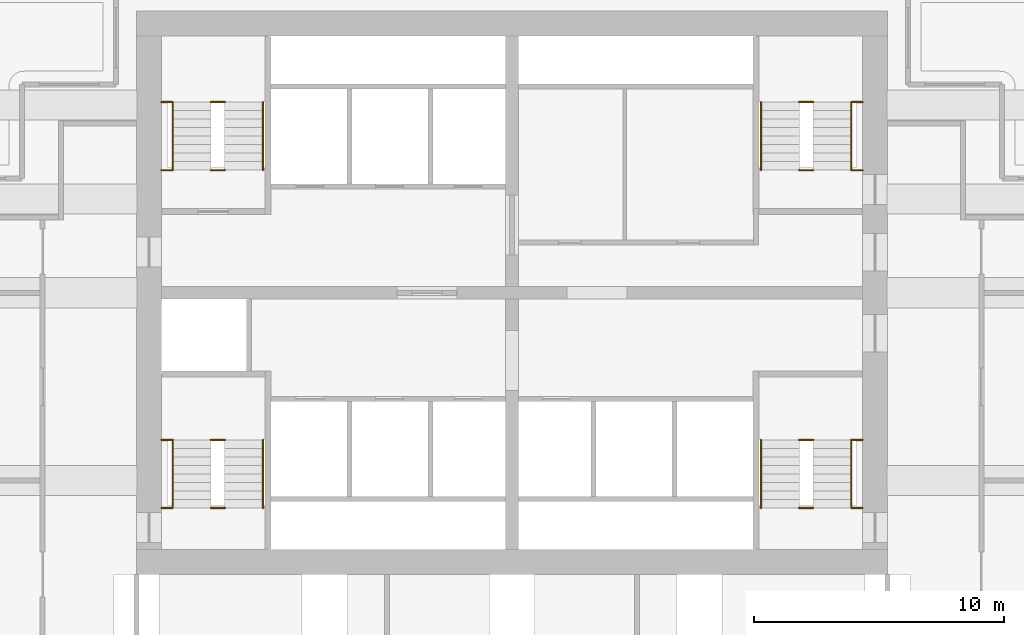
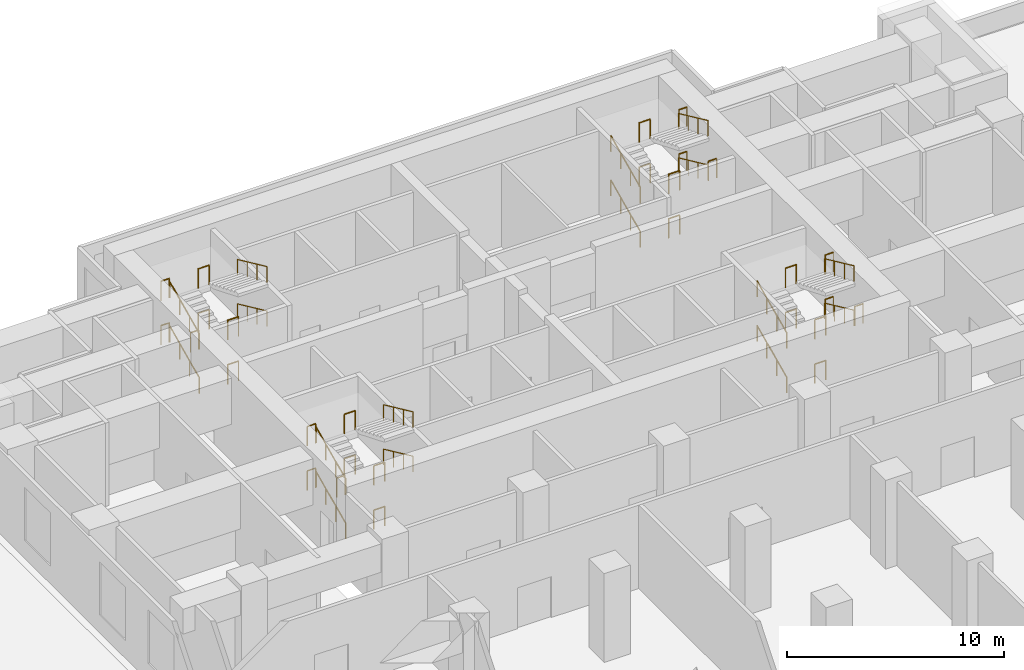
# One storey, part 8 of 9: 44 railings.
"""IFC4 building model written with IfcOpenShell, lengths in metres."""

from ifc_helpers import new_model, si_unit, direction, frame, origin, origin_2d, place, context, subcontext, project, spatial, circle, extrude, material, type_object, element, save


model = new_model("IFC4")

# Units and contexts
model_context = context("Model", 3, precision=1e-05, world=origin(), true_north=direction((0.0, 1.0)))
body_context = subcontext(model_context, "Body", "Model", "MODEL_VIEW")
ifc_project = project(units=[si_unit("LENGTHUNIT", "METRE"), si_unit("AREAUNIT", "SQUARE_METRE"), si_unit("VOLUMEUNIT", "CUBIC_METRE"), si_unit("PLANEANGLEUNIT", "RADIAN"), si_unit("MASSUNIT", "GRAM", prefix="KILO")], contexts=[model_context])

# Site, building, storey
site_placement = place(None, origin())
site = spatial("IfcSite", under=ifc_project, at=site_placement, CompositionType="ELEMENT")
building_placement = place(site_placement, origin())
building = spatial("IfcBuilding", under=site, at=building_placement, Name="Pilkhan Gate Tower", CompositionType="ELEMENT")
storey_placement = place(building_placement, frame((0.0, 0.0, 30.0)))
storey = spatial("IfcBuildingStorey", under=building, at=storey_placement, Name="L04", CompositionType="ELEMENT", Elevation=30.0)

# Railings
ifc_material_1 = material(Name="Black powder-coated steel tube", Category="steel")
railing_type_1 = type_object("IfcRailingType", Name="Stair handrail HR1", PredefinedType="HANDRAIL", material=ifc_material_1)
railing_1_placement = place(storey_placement, frame((84.949951171875, 73.89990234375, 0.0)))
element("IfcRailing", 1, at=railing_1_placement, inside=storey, type_object=railing_type_1, Name="Stair ST1 handrail L04", PredefinedType="HANDRAIL", context=body_context, shape_type="SweptSolid", body=[
    extrude(circle(Radius=0.02392578125, at=origin_2d()), frame((0.0, 0.0, 0.8759765625), z_axis=(0.0, 0.908655102025, 0.417547488994), x_axis=(-1.0, 0.0, 0.0)), (0.0, 0.0, 1.0), 2.99365234375),
    extrude(circle(Radius=0.02099609375, at=origin_2d()), origin(), (0.0, 0.0, 1.0), 0.851806640625),
    extrude(circle(Radius=0.02099609375, at=origin_2d()), frame((0.0, 0.90673828125, 0.416748046875)), (0.0, 0.0, 1.0), 0.851806640625),
    extrude(circle(Radius=0.02099609375, at=origin_2d()), frame((0.0, 1.8134765625, 0.833251953125)), (0.0, 0.0, 1.0), 0.851806640625),
    extrude(circle(Radius=0.02099609375, at=origin_2d()), frame((0.0, 2.72021484375, 1.25)), (0.0, 0.0, 1.0), 0.851806640625),
])
railing_2_placement = place(storey_placement, frame((88.550048828125, 76.6201171875, 1.25)))
element("IfcRailing", 2, at=railing_2_placement, inside=storey, type_object=railing_type_1, Name="Stair ST1 handrail L04", PredefinedType="HANDRAIL", context=body_context, shape_type="SweptSolid", body=[
    extrude(circle(Radius=0.02392578125, at=origin_2d()), frame((0.0, 0.0, 0.8759765625), z_axis=(0.0, -0.908655102025, 0.417547488994), x_axis=(1.0, 0.0, 0.0)), (0.0, 0.0, 1.0), 2.99365234375),
    extrude(circle(Radius=0.02099609375, at=origin_2d()), origin(), (0.0, 0.0, 1.0), 0.851806640625),
    extrude(circle(Radius=0.02099609375, at=origin_2d()), frame((0.0, -0.90673828125, 0.416748046875)), (0.0, 0.0, 1.0), 0.851806640625),
    extrude(circle(Radius=0.02099609375, at=origin_2d()), frame((0.0, -1.8134765625, 0.833251953125)), (0.0, 0.0, 1.0), 0.851806640625),
    extrude(circle(Radius=0.02099609375, at=origin_2d()), frame((0.0, -2.72021484375, 1.25)), (0.0, 0.0, 1.0), 0.851806640625),
])
railing_3_placement = place(storey_placement, frame((84.949951171875, 73.89990234375, 2.5)))
element("IfcRailing", 3, at=railing_3_placement, inside=storey, type_object=railing_type_1, Name="Stair ST1 handrail L04", PredefinedType="HANDRAIL", context=body_context, shape_type="SweptSolid", body=[
    extrude(circle(Radius=0.02392578125, at=origin_2d()), frame((0.0, 0.0, 0.8759765625), z_axis=(0.0, 0.908655102025, 0.417547488994), x_axis=(-1.0, 0.0, 0.0)), (0.0, 0.0, 1.0), 2.99365234375),
    extrude(circle(Radius=0.02099609375, at=origin_2d()), origin(), (0.0, 0.0, 1.0), 0.851806640625),
    extrude(circle(Radius=0.02099609375, at=origin_2d()), frame((0.0, 0.90673828125, 0.416748046875)), (0.0, 0.0, 1.0), 0.851806640625),
    extrude(circle(Radius=0.02099609375, at=origin_2d()), frame((0.0, 1.8134765625, 0.833251953125)), (0.0, 0.0, 1.0), 0.851806640625),
    extrude(circle(Radius=0.02099609375, at=origin_2d()), frame((0.0, 2.72021484375, 1.25)), (0.0, 0.0, 1.0), 0.851806640625),
])
railing_4_placement = place(storey_placement, frame((88.550048828125, 76.6201171875, 3.75)))
element("IfcRailing", 4, at=railing_4_placement, inside=storey, type_object=railing_type_1, Name="Stair ST1 handrail L04", PredefinedType="HANDRAIL", context=body_context, shape_type="SweptSolid", body=[
    extrude(circle(Radius=0.02392578125, at=origin_2d()), frame((0.0, 0.0, 0.8759765625), z_axis=(0.0, -0.908655102025, 0.417547488994), x_axis=(1.0, 0.0, 0.0)), (0.0, 0.0, 1.0), 2.99365234375),
    extrude(circle(Radius=0.02099609375, at=origin_2d()), origin(), (0.0, 0.0, 1.0), 0.851806640625),
    extrude(circle(Radius=0.02099609375, at=origin_2d()), frame((0.0, -0.90673828125, 0.416748046875)), (0.0, 0.0, 1.0), 0.851806640625),
    extrude(circle(Radius=0.02099609375, at=origin_2d()), frame((0.0, -1.8134765625, 0.833251953125)), (0.0, 0.0, 1.0), 0.851806640625),
    extrude(circle(Radius=0.02099609375, at=origin_2d()), frame((0.0, -2.72021484375, 1.25)), (0.0, 0.0, 1.0), 0.851806640625),
])
railing_5_placement = place(storey_placement, frame((61.449951171875, 73.89990234375, 0.0)))
element("IfcRailing", 5, at=railing_5_placement, inside=storey, type_object=railing_type_1, Name="Stair ST2 handrail L04", PredefinedType="HANDRAIL", context=body_context, shape_type="SweptSolid", body=[
    extrude(circle(Radius=0.02392578125, at=origin_2d()), frame((0.0, 0.0, 0.8759765625), z_axis=(0.0, 0.908655102025, 0.417547488994), x_axis=(-1.0, 0.0, 0.0)), (0.0, 0.0, 1.0), 2.99365234375),
    extrude(circle(Radius=0.02099609375, at=origin_2d()), origin(), (0.0, 0.0, 1.0), 0.851806640625),
    extrude(circle(Radius=0.02099609375, at=origin_2d()), frame((0.0, 0.90673828125, 0.416748046875)), (0.0, 0.0, 1.0), 0.851806640625),
    extrude(circle(Radius=0.02099609375, at=origin_2d()), frame((0.0, 1.8134765625, 0.833251953125)), (0.0, 0.0, 1.0), 0.851806640625),
    extrude(circle(Radius=0.02099609375, at=origin_2d()), frame((0.0, 2.72021484375, 1.25)), (0.0, 0.0, 1.0), 0.851806640625),
])
railing_6_placement = place(storey_placement, frame((65.050048828125, 76.6201171875, 1.25)))
element("IfcRailing", 6, at=railing_6_placement, inside=storey, type_object=railing_type_1, Name="Stair ST2 handrail L04", PredefinedType="HANDRAIL", context=body_context, shape_type="SweptSolid", body=[
    extrude(circle(Radius=0.02392578125, at=origin_2d()), frame((0.0, 0.0, 0.8759765625), z_axis=(0.0, -0.908655102025, 0.417547488994), x_axis=(1.0, 0.0, 0.0)), (0.0, 0.0, 1.0), 2.99365234375),
    extrude(circle(Radius=0.02099609375, at=origin_2d()), origin(), (0.0, 0.0, 1.0), 0.851806640625),
    extrude(circle(Radius=0.02099609375, at=origin_2d()), frame((0.0, -0.90673828125, 0.416748046875)), (0.0, 0.0, 1.0), 0.851806640625),
    extrude(circle(Radius=0.02099609375, at=origin_2d()), frame((0.0, -1.8134765625, 0.833251953125)), (0.0, 0.0, 1.0), 0.851806640625),
    extrude(circle(Radius=0.02099609375, at=origin_2d()), frame((0.0, -2.72021484375, 1.25)), (0.0, 0.0, 1.0), 0.851806640625),
])
railing_7_placement = place(storey_placement, frame((61.449951171875, 73.89990234375, 2.5)))
element("IfcRailing", 7, at=railing_7_placement, inside=storey, type_object=railing_type_1, Name="Stair ST2 handrail L04", PredefinedType="HANDRAIL", context=body_context, shape_type="SweptSolid", body=[
    extrude(circle(Radius=0.02392578125, at=origin_2d()), frame((0.0, 0.0, 0.8759765625), z_axis=(0.0, 0.908655102025, 0.417547488994), x_axis=(-1.0, 0.0, 0.0)), (0.0, 0.0, 1.0), 2.99365234375),
    extrude(circle(Radius=0.02099609375, at=origin_2d()), origin(), (0.0, 0.0, 1.0), 0.851806640625),
    extrude(circle(Radius=0.02099609375, at=origin_2d()), frame((0.0, 0.90673828125, 0.416748046875)), (0.0, 0.0, 1.0), 0.851806640625),
    extrude(circle(Radius=0.02099609375, at=origin_2d()), frame((0.0, 1.8134765625, 0.833251953125)), (0.0, 0.0, 1.0), 0.851806640625),
    extrude(circle(Radius=0.02099609375, at=origin_2d()), frame((0.0, 2.72021484375, 1.25)), (0.0, 0.0, 1.0), 0.851806640625),
])
railing_8_placement = place(storey_placement, frame((65.050048828125, 76.6201171875, 3.75)))
element("IfcRailing", 8, at=railing_8_placement, inside=storey, type_object=railing_type_1, Name="Stair ST2 handrail L04", PredefinedType="HANDRAIL", context=body_context, shape_type="SweptSolid", body=[
    extrude(circle(Radius=0.02392578125, at=origin_2d()), frame((0.0, 0.0, 0.8759765625), z_axis=(0.0, -0.908655102025, 0.417547488994), x_axis=(1.0, 0.0, 0.0)), (0.0, 0.0, 1.0), 2.99365234375),
    extrude(circle(Radius=0.02099609375, at=origin_2d()), origin(), (0.0, 0.0, 1.0), 0.851806640625),
    extrude(circle(Radius=0.02099609375, at=origin_2d()), frame((0.0, -0.90673828125, 0.416748046875)), (0.0, 0.0, 1.0), 0.851806640625),
    extrude(circle(Radius=0.02099609375, at=origin_2d()), frame((0.0, -1.8134765625, 0.833251953125)), (0.0, 0.0, 1.0), 0.851806640625),
    extrude(circle(Radius=0.02099609375, at=origin_2d()), frame((0.0, -2.72021484375, 1.25)), (0.0, 0.0, 1.0), 0.851806640625),
])
railing_9_placement = place(storey_placement, frame((61.449951171875, 87.39990234375, 0.0)))
element("IfcRailing", 9, at=railing_9_placement, inside=storey, type_object=railing_type_1, Name="Stair ST3 handrail L04", PredefinedType="HANDRAIL", context=body_context, shape_type="SweptSolid", body=[
    extrude(circle(Radius=0.02392578125, at=origin_2d()), frame((0.0, 0.0, 0.8759765625), z_axis=(0.0, 0.908655102025, 0.417547488994), x_axis=(-1.0, 0.0, 0.0)), (0.0, 0.0, 1.0), 2.99365234375),
    extrude(circle(Radius=0.02099609375, at=origin_2d()), origin(), (0.0, 0.0, 1.0), 0.851806640625),
    extrude(circle(Radius=0.02099609375, at=origin_2d()), frame((0.0, 0.90673828125, 0.416748046875)), (0.0, 0.0, 1.0), 0.851806640625),
    extrude(circle(Radius=0.02099609375, at=origin_2d()), frame((0.0, 1.8134765625, 0.833251953125)), (0.0, 0.0, 1.0), 0.851806640625),
    extrude(circle(Radius=0.02099609375, at=origin_2d()), frame((0.0, 2.72021484375, 1.25)), (0.0, 0.0, 1.0), 0.851806640625),
])
railing_10_placement = place(storey_placement, frame((65.050048828125, 90.1201171875, 1.25)))
element("IfcRailing", 10, at=railing_10_placement, inside=storey, type_object=railing_type_1, Name="Stair ST3 handrail L04", PredefinedType="HANDRAIL", context=body_context, shape_type="SweptSolid", body=[
    extrude(circle(Radius=0.02392578125, at=origin_2d()), frame((0.0, 0.0, 0.8759765625), z_axis=(0.0, -0.908655102025, 0.417547488994), x_axis=(1.0, 0.0, 0.0)), (0.0, 0.0, 1.0), 2.99365234375),
    extrude(circle(Radius=0.02099609375, at=origin_2d()), origin(), (0.0, 0.0, 1.0), 0.851806640625),
    extrude(circle(Radius=0.02099609375, at=origin_2d()), frame((0.0, -0.90673828125, 0.416748046875)), (0.0, 0.0, 1.0), 0.851806640625),
    extrude(circle(Radius=0.02099609375, at=origin_2d()), frame((0.0, -1.8134765625, 0.833251953125)), (0.0, 0.0, 1.0), 0.851806640625),
    extrude(circle(Radius=0.02099609375, at=origin_2d()), frame((0.0, -2.72021484375, 1.25)), (0.0, 0.0, 1.0), 0.851806640625),
])
railing_11_placement = place(storey_placement, frame((61.449951171875, 87.39990234375, 2.5)))
element("IfcRailing", 11, at=railing_11_placement, inside=storey, type_object=railing_type_1, Name="Stair ST3 handrail L04", PredefinedType="HANDRAIL", context=body_context, shape_type="SweptSolid", body=[
    extrude(circle(Radius=0.02392578125, at=origin_2d()), frame((0.0, 0.0, 0.8759765625), z_axis=(0.0, 0.908655102025, 0.417547488994), x_axis=(-1.0, 0.0, 0.0)), (0.0, 0.0, 1.0), 2.99365234375),
    extrude(circle(Radius=0.02099609375, at=origin_2d()), origin(), (0.0, 0.0, 1.0), 0.851806640625),
    extrude(circle(Radius=0.02099609375, at=origin_2d()), frame((0.0, 0.90673828125, 0.416748046875)), (0.0, 0.0, 1.0), 0.851806640625),
    extrude(circle(Radius=0.02099609375, at=origin_2d()), frame((0.0, 1.8134765625, 0.833251953125)), (0.0, 0.0, 1.0), 0.851806640625),
    extrude(circle(Radius=0.02099609375, at=origin_2d()), frame((0.0, 2.72021484375, 1.25)), (0.0, 0.0, 1.0), 0.851806640625),
])
railing_12_placement = place(storey_placement, frame((65.050048828125, 90.1201171875, 3.75)))
element("IfcRailing", 12, at=railing_12_placement, inside=storey, type_object=railing_type_1, Name="Stair ST3 handrail L04", PredefinedType="HANDRAIL", context=body_context, shape_type="SweptSolid", body=[
    extrude(circle(Radius=0.02392578125, at=origin_2d()), frame((0.0, 0.0, 0.8759765625), z_axis=(0.0, -0.908655102025, 0.417547488994), x_axis=(1.0, 0.0, 0.0)), (0.0, 0.0, 1.0), 2.99365234375),
    extrude(circle(Radius=0.02099609375, at=origin_2d()), origin(), (0.0, 0.0, 1.0), 0.851806640625),
    extrude(circle(Radius=0.02099609375, at=origin_2d()), frame((0.0, -0.90673828125, 0.416748046875)), (0.0, 0.0, 1.0), 0.851806640625),
    extrude(circle(Radius=0.02099609375, at=origin_2d()), frame((0.0, -1.8134765625, 0.833251953125)), (0.0, 0.0, 1.0), 0.851806640625),
    extrude(circle(Radius=0.02099609375, at=origin_2d()), frame((0.0, -2.72021484375, 1.25)), (0.0, 0.0, 1.0), 0.851806640625),
])
railing_13_placement = place(storey_placement, frame((84.949951171875, 87.39990234375, 0.0)))
element("IfcRailing", 13, at=railing_13_placement, inside=storey, type_object=railing_type_1, Name="Stair ST4 handrail L04", PredefinedType="HANDRAIL", context=body_context, shape_type="SweptSolid", body=[
    extrude(circle(Radius=0.02392578125, at=origin_2d()), frame((0.0, 0.0, 0.8759765625), z_axis=(0.0, 0.908655102025, 0.417547488994), x_axis=(-1.0, 0.0, 0.0)), (0.0, 0.0, 1.0), 2.99365234375),
    extrude(circle(Radius=0.02099609375, at=origin_2d()), origin(), (0.0, 0.0, 1.0), 0.851806640625),
    extrude(circle(Radius=0.02099609375, at=origin_2d()), frame((0.0, 0.90673828125, 0.416748046875)), (0.0, 0.0, 1.0), 0.851806640625),
    extrude(circle(Radius=0.02099609375, at=origin_2d()), frame((0.0, 1.8134765625, 0.833251953125)), (0.0, 0.0, 1.0), 0.851806640625),
    extrude(circle(Radius=0.02099609375, at=origin_2d()), frame((0.0, 2.72021484375, 1.25)), (0.0, 0.0, 1.0), 0.851806640625),
])
railing_14_placement = place(storey_placement, frame((88.550048828125, 90.1201171875, 1.25)))
element("IfcRailing", 14, at=railing_14_placement, inside=storey, type_object=railing_type_1, Name="Stair ST4 handrail L04", PredefinedType="HANDRAIL", context=body_context, shape_type="SweptSolid", body=[
    extrude(circle(Radius=0.02392578125, at=origin_2d()), frame((0.0, 0.0, 0.8759765625), z_axis=(0.0, -0.908655102025, 0.417547488994), x_axis=(1.0, 0.0, 0.0)), (0.0, 0.0, 1.0), 2.99365234375),
    extrude(circle(Radius=0.02099609375, at=origin_2d()), origin(), (0.0, 0.0, 1.0), 0.851806640625),
    extrude(circle(Radius=0.02099609375, at=origin_2d()), frame((0.0, -0.90673828125, 0.416748046875)), (0.0, 0.0, 1.0), 0.851806640625),
    extrude(circle(Radius=0.02099609375, at=origin_2d()), frame((0.0, -1.8134765625, 0.833251953125)), (0.0, 0.0, 1.0), 0.851806640625),
    extrude(circle(Radius=0.02099609375, at=origin_2d()), frame((0.0, -2.72021484375, 1.25)), (0.0, 0.0, 1.0), 0.851806640625),
])
railing_15_placement = place(storey_placement, frame((84.949951171875, 87.39990234375, 2.5)))
element("IfcRailing", 15, at=railing_15_placement, inside=storey, type_object=railing_type_1, Name="Stair ST4 handrail L04", PredefinedType="HANDRAIL", context=body_context, shape_type="SweptSolid", body=[
    extrude(circle(Radius=0.02392578125, at=origin_2d()), frame((0.0, 0.0, 0.8759765625), z_axis=(0.0, 0.908655102025, 0.417547488994), x_axis=(-1.0, 0.0, 0.0)), (0.0, 0.0, 1.0), 2.99365234375),
    extrude(circle(Radius=0.02099609375, at=origin_2d()), origin(), (0.0, 0.0, 1.0), 0.851806640625),
    extrude(circle(Radius=0.02099609375, at=origin_2d()), frame((0.0, 0.90673828125, 0.416748046875)), (0.0, 0.0, 1.0), 0.851806640625),
    extrude(circle(Radius=0.02099609375, at=origin_2d()), frame((0.0, 1.8134765625, 0.833251953125)), (0.0, 0.0, 1.0), 0.851806640625),
    extrude(circle(Radius=0.02099609375, at=origin_2d()), frame((0.0, 2.72021484375, 1.25)), (0.0, 0.0, 1.0), 0.851806640625),
])
railing_16_placement = place(storey_placement, frame((88.550048828125, 90.1201171875, 3.75)))
element("IfcRailing", 16, at=railing_16_placement, inside=storey, type_object=railing_type_1, Name="Stair ST4 handrail L04", PredefinedType="HANDRAIL", context=body_context, shape_type="SweptSolid", body=[
    extrude(circle(Radius=0.02392578125, at=origin_2d()), frame((0.0, 0.0, 0.8759765625), z_axis=(0.0, -0.908655102025, 0.417547488994), x_axis=(1.0, 0.0, 0.0)), (0.0, 0.0, 1.0), 2.99365234375),
    extrude(circle(Radius=0.02099609375, at=origin_2d()), origin(), (0.0, 0.0, 1.0), 0.851806640625),
    extrude(circle(Radius=0.02099609375, at=origin_2d()), frame((0.0, -0.90673828125, 0.416748046875)), (0.0, 0.0, 1.0), 0.851806640625),
    extrude(circle(Radius=0.02099609375, at=origin_2d()), frame((0.0, -1.8134765625, 0.833251953125)), (0.0, 0.0, 1.0), 0.851806640625),
    extrude(circle(Radius=0.02099609375, at=origin_2d()), frame((0.0, -2.72021484375, 1.25)), (0.0, 0.0, 1.0), 0.851806640625),
])
ifc_material_2 = material(Name="Black powder-coated steel balusters", Category="steel")
railing_type_2 = type_object("IfcRailingType", Name="Stair well guard G3", PredefinedType="GUARDRAIL", material=ifc_material_2)
for number, where, name in (
    (17, (88.580078125, 76.6201171875, 1.25), "Stair ST1 well guard L04"),
    (18, (88.580078125, 73.89990234375, 2.5), "Stair ST1 well guard L04"),
    (19, (88.580078125, 76.6201171875, 3.75), "Stair ST1 well guard L04"),
):
    element("IfcRailing", number, at=place(storey_placement, frame(where)), inside=storey, type_object=railing_type_2, Name=name, PredefinedType="GUARDRAIL", context=body_context, shape_type="SweptSolid", body=[
        extrude(circle(Radius=0.02392578125, at=origin_2d()), frame((0.0, 0.0, 1.076171875), z_axis=(1.0, 0.0, 0.0), x_axis=(0.0, 1.0, 0.0)), (0.0, 0.0, 1.0), 0.43994140625),
        extrude(circle(Radius=0.02099609375, at=origin_2d()), origin(), (0.0, 0.0, 1.0), 1.052001953125),
        extrude(circle(Radius=0.02099609375, at=origin_2d()), frame((0.43994140625, 0.0, 0.0)), (0.0, 0.0, 1.0), 1.052001953125),
    ])
for number, where, name in (
    (20, (86.4599609375, 73.89990234375, 0.0), "Stair ST1 well guard L04"),
    (21, (86.4599609375, 76.6201171875, 1.25), "Stair ST1 well guard L04"),
    (22, (86.4599609375, 73.89990234375, 2.5), "Stair ST1 well guard L04"),
    (23, (86.4599609375, 76.6201171875, 3.75), "Stair ST1 well guard L04"),
):
    element("IfcRailing", number, at=place(storey_placement, frame(where)), inside=storey, type_object=railing_type_2, Name=name, PredefinedType="GUARDRAIL", context=body_context, shape_type="SweptSolid", body=[
        extrude(circle(Radius=0.02392578125, at=origin_2d()), frame((0.0, 0.0, 1.076171875), z_axis=(1.0, 0.0, 0.0), x_axis=(0.0, 1.0, 0.0)), (0.0, 0.0, 1.0), 0.580078125),
        extrude(circle(Radius=0.02099609375, at=origin_2d()), origin(), (0.0, 0.0, 1.0), 1.052001953125),
        extrude(circle(Radius=0.02099609375, at=origin_2d()), frame((0.580078125, 0.0, 0.0)), (0.0, 0.0, 1.0), 1.052001953125),
    ])
for number, where, name in (
    (24, (60.97998046875, 76.6201171875, 1.25), "Stair ST2 well guard L04"),
    (25, (60.97998046875, 73.89990234375, 2.5), "Stair ST2 well guard L04"),
    (26, (60.97998046875, 76.6201171875, 3.75), "Stair ST2 well guard L04"),
):
    element("IfcRailing", number, at=place(storey_placement, frame(where)), inside=storey, type_object=railing_type_2, Name=name, PredefinedType="GUARDRAIL", context=body_context, shape_type="SweptSolid", body=[
        extrude(circle(Radius=0.02392578125, at=origin_2d()), frame((0.0, 0.0, 1.076171875), z_axis=(1.0, 0.0, 0.0), x_axis=(0.0, 1.0, 0.0)), (0.0, 0.0, 1.0), 0.43994140625),
        extrude(circle(Radius=0.02099609375, at=origin_2d()), origin(), (0.0, 0.0, 1.0), 1.052001953125),
        extrude(circle(Radius=0.02099609375, at=origin_2d()), frame((0.43994140625, 0.0, 0.0)), (0.0, 0.0, 1.0), 1.052001953125),
    ])
for number, where, name in (
    (27, (62.9599609375, 73.89990234375, 0.0), "Stair ST2 well guard L04"),
    (28, (62.9599609375, 76.6201171875, 1.25), "Stair ST2 well guard L04"),
    (29, (62.9599609375, 73.89990234375, 2.5), "Stair ST2 well guard L04"),
    (30, (62.9599609375, 76.6201171875, 3.75), "Stair ST2 well guard L04"),
):
    element("IfcRailing", number, at=place(storey_placement, frame(where)), inside=storey, type_object=railing_type_2, Name=name, PredefinedType="GUARDRAIL", context=body_context, shape_type="SweptSolid", body=[
        extrude(circle(Radius=0.02392578125, at=origin_2d()), frame((0.0, 0.0, 1.076171875), z_axis=(1.0, 0.0, 0.0), x_axis=(0.0, 1.0, 0.0)), (0.0, 0.0, 1.0), 0.580078125),
        extrude(circle(Radius=0.02099609375, at=origin_2d()), origin(), (0.0, 0.0, 1.0), 1.052001953125),
        extrude(circle(Radius=0.02099609375, at=origin_2d()), frame((0.580078125, 0.0, 0.0)), (0.0, 0.0, 1.0), 1.052001953125),
    ])
for number, where, name in (
    (31, (60.97998046875, 90.1201171875, 1.25), "Stair ST3 well guard L04"),
    (32, (60.97998046875, 87.39990234375, 2.5), "Stair ST3 well guard L04"),
    (33, (60.97998046875, 90.1201171875, 3.75), "Stair ST3 well guard L04"),
):
    element("IfcRailing", number, at=place(storey_placement, frame(where)), inside=storey, type_object=railing_type_2, Name=name, PredefinedType="GUARDRAIL", context=body_context, shape_type="SweptSolid", body=[
        extrude(circle(Radius=0.02392578125, at=origin_2d()), frame((0.0, 0.0, 1.076171875), z_axis=(1.0, 0.0, 0.0), x_axis=(0.0, 1.0, 0.0)), (0.0, 0.0, 1.0), 0.43994140625),
        extrude(circle(Radius=0.02099609375, at=origin_2d()), origin(), (0.0, 0.0, 1.0), 1.052001953125),
        extrude(circle(Radius=0.02099609375, at=origin_2d()), frame((0.43994140625, 0.0, 0.0)), (0.0, 0.0, 1.0), 1.052001953125),
    ])
for number, where, name in (
    (34, (62.9599609375, 87.39990234375, 0.0), "Stair ST3 well guard L04"),
    (35, (62.9599609375, 90.1201171875, 1.25), "Stair ST3 well guard L04"),
    (36, (62.9599609375, 87.39990234375, 2.5), "Stair ST3 well guard L04"),
    (37, (62.9599609375, 90.1201171875, 3.75), "Stair ST3 well guard L04"),
):
    element("IfcRailing", number, at=place(storey_placement, frame(where)), inside=storey, type_object=railing_type_2, Name=name, PredefinedType="GUARDRAIL", context=body_context, shape_type="SweptSolid", body=[
        extrude(circle(Radius=0.02392578125, at=origin_2d()), frame((0.0, 0.0, 1.076171875), z_axis=(1.0, 0.0, 0.0), x_axis=(0.0, 1.0, 0.0)), (0.0, 0.0, 1.0), 0.580078125),
        extrude(circle(Radius=0.02099609375, at=origin_2d()), origin(), (0.0, 0.0, 1.0), 1.052001953125),
        extrude(circle(Radius=0.02099609375, at=origin_2d()), frame((0.580078125, 0.0, 0.0)), (0.0, 0.0, 1.0), 1.052001953125),
    ])
for number, where, name in (
    (38, (88.580078125, 90.1201171875, 1.25), "Stair ST4 well guard L04"),
    (39, (88.580078125, 87.39990234375, 2.5), "Stair ST4 well guard L04"),
    (40, (88.580078125, 90.1201171875, 3.75), "Stair ST4 well guard L04"),
):
    element("IfcRailing", number, at=place(storey_placement, frame(where)), inside=storey, type_object=railing_type_2, Name=name, PredefinedType="GUARDRAIL", context=body_context, shape_type="SweptSolid", body=[
        extrude(circle(Radius=0.02392578125, at=origin_2d()), frame((0.0, 0.0, 1.076171875), z_axis=(1.0, 0.0, 0.0), x_axis=(0.0, 1.0, 0.0)), (0.0, 0.0, 1.0), 0.43994140625),
        extrude(circle(Radius=0.02099609375, at=origin_2d()), origin(), (0.0, 0.0, 1.0), 1.052001953125),
        extrude(circle(Radius=0.02099609375, at=origin_2d()), frame((0.43994140625, 0.0, 0.0)), (0.0, 0.0, 1.0), 1.052001953125),
    ])
for number, where, name in (
    (41, (86.4599609375, 87.39990234375, 0.0), "Stair ST4 well guard L04"),
    (42, (86.4599609375, 90.1201171875, 1.25), "Stair ST4 well guard L04"),
    (43, (86.4599609375, 87.39990234375, 2.5), "Stair ST4 well guard L04"),
    (44, (86.4599609375, 90.1201171875, 3.75), "Stair ST4 well guard L04"),
):
    element("IfcRailing", number, at=place(storey_placement, frame(where)), inside=storey, type_object=railing_type_2, Name=name, PredefinedType="GUARDRAIL", context=body_context, shape_type="SweptSolid", body=[
        extrude(circle(Radius=0.02392578125, at=origin_2d()), frame((0.0, 0.0, 1.076171875), z_axis=(1.0, 0.0, 0.0), x_axis=(0.0, 1.0, 0.0)), (0.0, 0.0, 1.0), 0.580078125),
        extrude(circle(Radius=0.02099609375, at=origin_2d()), origin(), (0.0, 0.0, 1.0), 1.052001953125),
        extrude(circle(Radius=0.02099609375, at=origin_2d()), frame((0.580078125, 0.0, 0.0)), (0.0, 0.0, 1.0), 1.052001953125),
    ])

save(model, "model.ifc")
